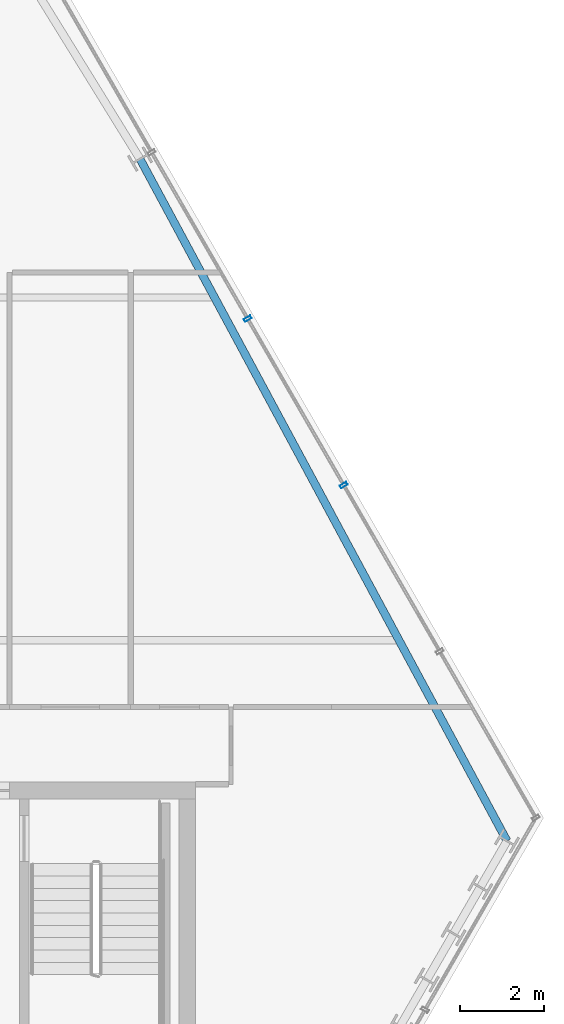
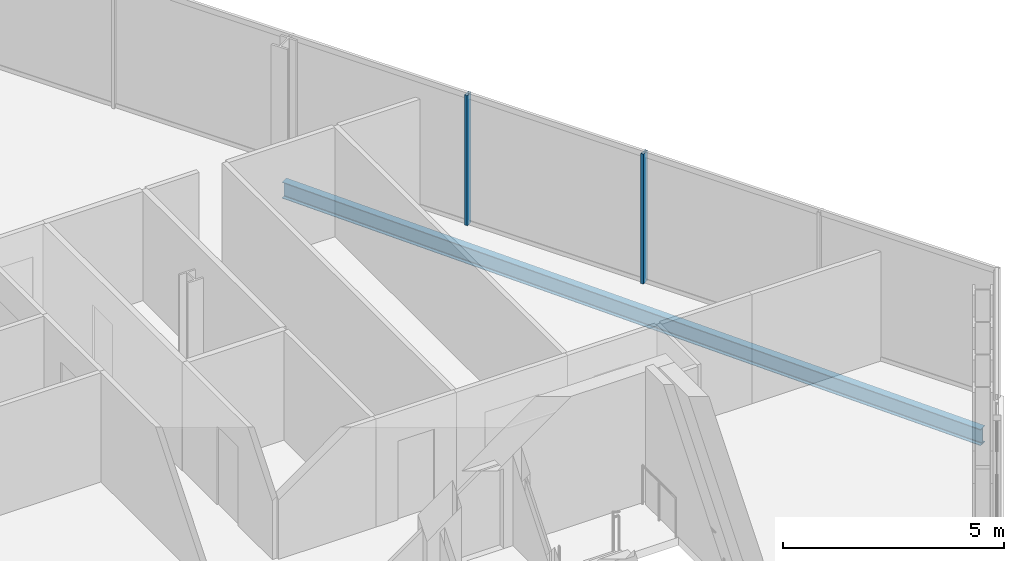
# One storey, part 17 of 33: 2 members, 1 beam, 1 element without a shape of its own.
"""IFC4 building model written with IfcOpenShell, lengths in metres."""

from ifc_helpers import new_model, si_unit, direction, frame, origin, origin_2d, place, context, subcontext, project, spatial, hollow_rectangle, i_section, extrude, material, layer, layer_set, material_profile, profile_set, type_object, element, aggregate, save


model = new_model("IFC4")

# Units and contexts
model_context = context("Model", 3, precision=1e-05, world=origin(), true_north=direction((0.0, 1.0)))
body_context = subcontext(model_context, "Body", "Model", "MODEL_VIEW")
ifc_project = project(units=[si_unit("LENGTHUNIT", "METRE"), si_unit("AREAUNIT", "SQUARE_METRE"), si_unit("VOLUMEUNIT", "CUBIC_METRE"), si_unit("PLANEANGLEUNIT", "RADIAN"), si_unit("MASSUNIT", "GRAM", prefix="KILO")], contexts=[model_context])

# Site, building, storey
site_placement = place(None, origin())
site = spatial("IfcSite", under=ifc_project, at=site_placement, CompositionType="ELEMENT")
building_placement = place(site_placement, origin())
building = spatial("IfcBuilding", under=site, at=building_placement, Name="Ndaravel Arena Tower", CompositionType="ELEMENT")
storey_placement = place(building_placement, frame((0.0, 0.0, 165.0)))
storey = spatial("IfcBuildingStorey", under=building, at=storey_placement, Name="L39", CompositionType="ELEMENT", Elevation=165.0)

# Beam
ifc_material_1 = material(Name="Steel S355", Category="steel")
ifc_material_profile_1 = material_profile(ifc_material_1, i_section(OverallWidth=0.18994140625, OverallDepth=0.449951171875, WebThickness=0.009521484375, FlangeThickness=0.0146484375, FilletRadius=0.02099609375, at=origin_2d()), Name="IPE 450")
ifc_profile_set_1 = profile_set([ifc_material_profile_1], Name="Steel S355")
beam_type = type_object("IfcBeamType", Name="BM-SPAN-IPE450", PredefinedType="SPANDREL", material=ifc_profile_set_1)
beam_placement = place(storey_placement, frame((65.005859375, 13.794189453125, -0.445068359375), z_axis=(-0.473873575868, 0.880592887829, 0.0), x_axis=(-0.880592887829, -0.473873575868, 0.0)))
element("IfcBeam", 1, at=beam_placement, inside=storey, type_object=beam_type, Name="L39 Perimeter Spandrel Beam SP-09", PredefinedType="SPANDREL", context=body_context, shape_type="SweptSolid", body=[
    extrude(i_section(OverallWidth=0.18994140625, OverallDepth=0.449951171875, WebThickness=0.009521484375, FlangeThickness=0.0146484375, FilletRadius=0.02099609375, at=origin_2d()), origin(), (0.0, 0.0, 1.0), 18.533935546875),
])

# Curtain wall, members
ifc_material_2 = material(Name="Aluminium", Category="aluminium")
ifc_layer = layer(ifc_material_2, 0.179931640625)
ifc_layer_set = layer_set([ifc_layer], Name="Aluminium")
curtain_wall_type = type_object("IfcCurtainWallType", Name="CW-SYS-03", PredefinedType="NOTDEFINED", material=ifc_layer_set)
curtain_wall_placement = place(storey_placement, origin())
curtain_wall = element("IfcCurtainWall", 2, at=curtain_wall_placement, inside=storey, type_object=curtain_wall_type, Name="L39 Faceted Crystal Curtain Wall CW-L39-E03", PredefinedType="NOTDEFINED")
ifc_material_3 = material(Name="Aluminium", Category="aluminium")
ifc_material_profile_2 = material_profile(ifc_material_3, hollow_rectangle(XDim=0.074951171875, YDim=0.179931640625, WallThickness=0.00390625, at=origin_2d()), Name="CW MULLION 75x180x4")
ifc_profile_set_2 = profile_set([ifc_material_profile_2], Name="Aluminium")
member_type = type_object("IfcMemberType", Name="MEM-CW-MUL180", PredefinedType="MULLION", material=ifc_profile_set_2)
member_1_placement = place(storey_placement, frame((61.097900390625, 22.311767578125, 0.0), z_axis=(0.0, 0.0, 1.0), x_axis=(-0.5, 0.866025403784, 0.0)))
member_1 = element("IfcMember", 3, at=member_1_placement, type_object=member_type, Name="CW-L39-E03 Mullion 02", PredefinedType="MULLION", context=body_context, shape_type="SweptSolid", body=[
    extrude(hollow_rectangle(XDim=0.074951171875, YDim=0.179931640625, WallThickness=0.00390625, at=origin_2d()), origin(), (0.0, 0.0, 1.0), 3.580078125),
])
member_2_placement = place(storey_placement, frame((58.799072265625, 26.29345703125, 0.0), z_axis=(0.0, 0.0, 1.0), x_axis=(-0.5, 0.866025403784, 0.0)))
member_2 = element("IfcMember", 4, at=member_2_placement, type_object=member_type, Name="CW-L39-E03 Mullion 03", PredefinedType="MULLION", context=body_context, shape_type="SweptSolid", body=[
    extrude(hollow_rectangle(XDim=0.074951171875, YDim=0.179931640625, WallThickness=0.00390625, at=origin_2d()), origin(), (0.0, 0.0, 1.0), 3.580078125),
])
aggregate(curtain_wall, [member_1, member_2])

save(model, "model.ifc")
